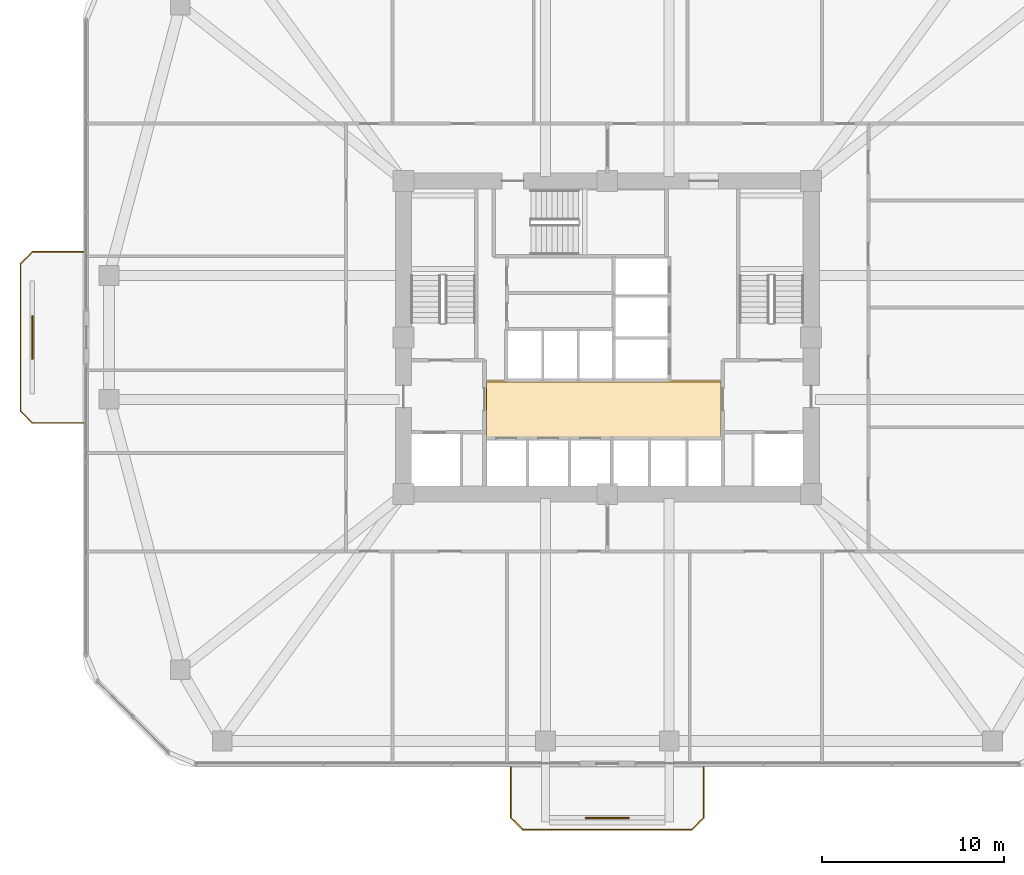
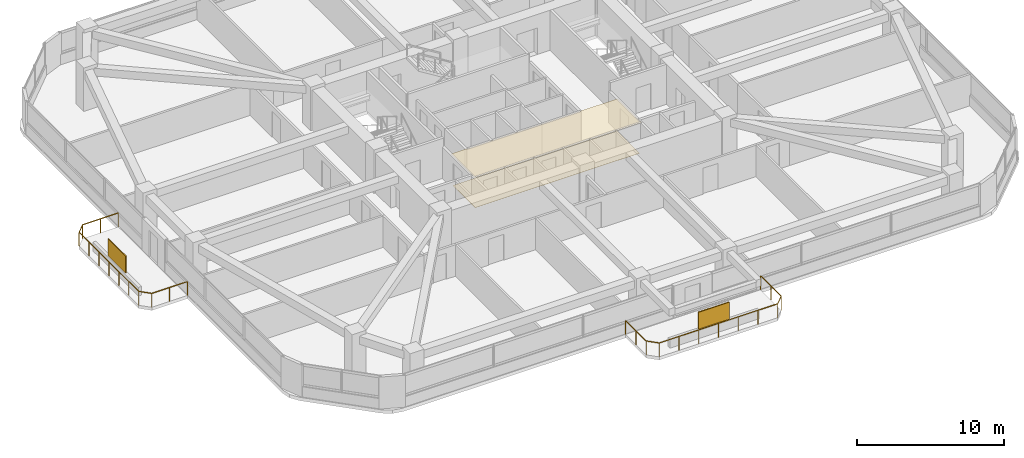
# One storey, part 12 of 13: 2 coverings, 2 railings, 2 shading devices.
"""IFC4 building model written with IfcOpenShell, lengths in metres."""

from ifc_helpers import new_model, si_unit, derived_unit, direction, frame, origin, origin_2d, place, context, subcontext, project, spatial, polyline, rectangle, outline, extrude, material, layer, layer_set, type_object, element, save


model = new_model("IFC4")

# Units and contexts
model_context = context("Model", 3, precision=1e-05, world=origin(), true_north=direction((0.0, 1.0)))
body_context = subcontext(model_context, "Body", "Model", "MODEL_VIEW")
ifc_project = project(units=[si_unit("LENGTHUNIT", "METRE"), si_unit("AREAUNIT", "SQUARE_METRE"), si_unit("VOLUMEUNIT", "CUBIC_METRE"), si_unit("PLANEANGLEUNIT", "RADIAN"), si_unit("MASSUNIT", "GRAM", prefix="KILO"), derived_unit("THERMALTRANSMITTANCEUNIT", [(si_unit("POWERUNIT", "WATT"), 1), (si_unit("LENGTHUNIT", "METRE"), -2), (si_unit("THERMODYNAMICTEMPERATUREUNIT", "KELVIN"), -1)])], contexts=[model_context])

# Site, building, storey
site_placement = place(None, origin())
site = spatial("IfcSite", under=ifc_project, at=site_placement, CompositionType="ELEMENT")
building_placement = place(site_placement, origin())
building = spatial("IfcBuilding", under=site, at=building_placement, Name="Koralith Skygarden Medical Center", CompositionType="ELEMENT")
storey_placement = place(building_placement, frame((0.0, 0.0, 63.5400390625)))
storey = spatial("IfcBuildingStorey", under=building, at=storey_placement, Name="L16", CompositionType="ELEMENT", Elevation=63.5400390625)

# Covering
ifc_material_1 = material(Name="Acoustic Mineral Tile")
ifc_layer_1 = layer(ifc_material_1, 0.02001953125)
ifc_layer_set_1 = layer_set([ifc_layer_1], Name="Acoustic Mineral Tile")
covering_type_1 = type_object("IfcCoveringType", Name="Acoustic Hygienic Mineral Ceiling 20", PredefinedType="CEILING", material=ifc_layer_set_1)
covering_1_placement = place(storey_placement, frame((0.0, 0.0, 2.5849609375)))
element("IfcCovering", 1, at=covering_1_placement, inside=storey, type_object=covering_type_1, Name="L16 Core Lobby Acoustic Ceiling", PredefinedType="CEILING", context=body_context, shape_type="SweptSolid", body=[
    extrude(outline(polyline([(30.25, 20.320068359375), (43.35009765625, 20.320068359375), (43.35009765625, 23.56005859375), (30.25, 23.56005859375), (30.25, 20.320068359375)])), origin(), (0.0, 0.0, 1.0), 0.02001953125),
])

# Railings
ifc_material_2 = material(Name="Steel ASTM A500 Grade C", Category="steel")
railing_type = type_object("IfcRailingType", Name="Outdoor Terrace & Balcony Safety Guardrail 1180", PredefinedType="GUARDRAIL", material=ifc_material_2)
railing_1_placement = place(storey_placement, frame((31.699951171875, 2.300048828125, 0.0)))
element("IfcRailing", 2, at=railing_1_placement, inside=storey, type_object=railing_type, Name="L16 S Balcony Perimeter Guardrail", PredefinedType="GUARDRAIL", context=body_context, shape_type="SweptSolid", body=[
    extrude(rectangle(XDim=0.050048828125, YDim=0.050048828125, at=origin_2d()), frame((0.0, -0.001953125, 1.15478515625), z_axis=(0.0, -1.0, 0.0), x_axis=(1.0, 0.0, 0.0)), (0.0, 0.0, 1.0), 2.796142578125),
    extrude(rectangle(XDim=0.050048828125, YDim=0.050048828125, at=origin_2d()), frame((0.00146484375, -2.801513671875, 1.15478515625), z_axis=(0.707239558722, -0.706973978714, 0.0), x_axis=(0.706973978714, 0.707239558722, 0.0)), (0.0, 0.0, 1.0), 0.915283203125),
    extrude(rectangle(XDim=0.050048828125, YDim=0.050048828125, at=origin_2d()), frame((0.652099609375, -3.449951171875, 1.15478515625), z_axis=(1.0, 0.0, 0.0), x_axis=(0.0, 1.0, 0.0)), (0.0, 0.0, 1.0), 9.2958984375),
    extrude(rectangle(XDim=0.050048828125, YDim=0.050048828125, at=origin_2d()), frame((9.951416015625, -3.448486328125, 1.15478515625), z_axis=(0.707239558722, 0.706973978714, 0.0), x_axis=(-0.706973978714, 0.707239558722, 0.0)), (0.0, 0.0, 1.0), 0.915283203125),
    extrude(rectangle(XDim=0.050048828125, YDim=0.050048828125, at=origin_2d()), frame((10.60009765625, -2.798095703125, 1.15478515625), z_axis=(0.0, 1.0, 0.0), x_axis=(-1.0, 0.0, 0.0)), (0.0, 0.0, 1.0), 2.796142578125),
    extrude(rectangle(XDim=0.0419921875, YDim=0.0419921875, at=origin_2d()), origin(), (0.0, 0.0, 1.0), 1.1279296875),
    extrude(rectangle(XDim=0.0419921875, YDim=0.0419921875, at=origin_2d()), frame((0.0, -1.39990234375, 0.0)), (0.0, 0.0, 1.0), 1.1279296875),
    extrude(rectangle(XDim=0.0419921875, YDim=0.0419921875, at=origin_2d()), frame((0.0, -2.800048828125, 0.0)), (0.0, 0.0, 1.0), 1.1279296875),
    extrude(rectangle(XDim=0.0419921875, YDim=0.0419921875, at=origin_2d()), frame((0.650146484375, -3.449951171875, 0.0)), (0.0, 0.0, 1.0), 1.1279296875),
    extrude(rectangle(XDim=0.0419921875, YDim=0.0419921875, at=origin_2d()), frame((2.2001953125, -3.449951171875, 0.0)), (0.0, 0.0, 1.0), 1.1279296875),
    extrude(rectangle(XDim=0.0419921875, YDim=0.0419921875, at=origin_2d()), frame((3.75, -3.449951171875, 0.0)), (0.0, 0.0, 1.0), 1.1279296875),
    extrude(rectangle(XDim=0.0419921875, YDim=0.0419921875, at=origin_2d()), frame((5.300048828125, -3.449951171875, 0.0)), (0.0, 0.0, 1.0), 1.1279296875),
    extrude(rectangle(XDim=0.0419921875, YDim=0.0419921875, at=origin_2d()), frame((6.85009765625, -3.449951171875, 0.0)), (0.0, 0.0, 1.0), 1.1279296875),
    extrude(rectangle(XDim=0.0419921875, YDim=0.0419921875, at=origin_2d()), frame((8.39990234375, -3.449951171875, 0.0)), (0.0, 0.0, 1.0), 1.1279296875),
    extrude(rectangle(XDim=0.0419921875, YDim=0.0419921875, at=origin_2d()), frame((9.949951171875, -3.449951171875, 0.0)), (0.0, 0.0, 1.0), 1.1279296875),
    extrude(rectangle(XDim=0.0419921875, YDim=0.0419921875, at=origin_2d()), frame((10.60009765625, -2.800048828125, 0.0)), (0.0, 0.0, 1.0), 1.1279296875),
    extrude(rectangle(XDim=0.0419921875, YDim=0.0419921875, at=origin_2d()), frame((10.60009765625, -1.39990234375, 0.0)), (0.0, 0.0, 1.0), 1.1279296875),
    extrude(rectangle(XDim=0.0419921875, YDim=0.0419921875, at=origin_2d()), frame((10.60009765625, 0.0, 0.0)), (0.0, 0.0, 1.0), 1.1279296875),
])
railing_2_placement = place(storey_placement, frame((8.199951171875, 21.199951171875, 0.0)))
element("IfcRailing", 3, at=railing_2_placement, inside=storey, type_object=railing_type, Name="L16 W Balcony Perimeter Guardrail", PredefinedType="GUARDRAIL", context=body_context, shape_type="SweptSolid", body=[
    extrude(rectangle(XDim=0.050048828125, YDim=0.050048828125, at=origin_2d()), frame((-0.001953125, 0.0, 1.15478515625), z_axis=(-1.0, 0.0, 0.0), x_axis=(0.0, -1.0, 0.0)), (0.0, 0.0, 1.0), 2.796142578125),
    extrude(rectangle(XDim=0.050048828125, YDim=0.050048828125, at=origin_2d()), frame((-2.801513671875, 0.00146484375, 1.15478515625), z_axis=(-0.706973978714, 0.707239558722, 0.0), x_axis=(-0.707239558722, -0.706973978714, 0.0)), (0.0, 0.0, 1.0), 0.915283203125),
    extrude(rectangle(XDim=0.050048828125, YDim=0.050048828125, at=origin_2d()), frame((-3.449951171875, 0.652099609375, 1.15478515625), z_axis=(0.0, 1.0, 0.0), x_axis=(-1.0, 0.0, 0.0)), (0.0, 0.0, 1.0), 8.095947265625),
    extrude(rectangle(XDim=0.050048828125, YDim=0.050048828125, at=origin_2d()), frame((-3.448486328125, 8.75146484375, 1.15478515625), z_axis=(0.706973978714, 0.707239558722, 0.0), x_axis=(-0.707239558722, 0.706973978714, 0.0)), (0.0, 0.0, 1.0), 0.915283203125),
    extrude(rectangle(XDim=0.050048828125, YDim=0.050048828125, at=origin_2d()), frame((-2.798095703125, 9.400146484375, 1.15478515625), z_axis=(1.0, 0.0, 0.0), x_axis=(0.0, 1.0, 0.0)), (0.0, 0.0, 1.0), 2.796142578125),
    extrude(rectangle(XDim=0.0419921875, YDim=0.0419921875, at=origin_2d()), origin(), (0.0, 0.0, 1.0), 1.1279296875),
    extrude(rectangle(XDim=0.0419921875, YDim=0.0419921875, at=origin_2d()), frame((-1.39990234375, 0.0, 0.0)), (0.0, 0.0, 1.0), 1.1279296875),
    extrude(rectangle(XDim=0.0419921875, YDim=0.0419921875, at=origin_2d()), frame((-2.800048828125, 0.0, 0.0)), (0.0, 0.0, 1.0), 1.1279296875),
    extrude(rectangle(XDim=0.0419921875, YDim=0.0419921875, at=origin_2d()), frame((-3.449951171875, 0.650146484375, 0.0)), (0.0, 0.0, 1.0), 1.1279296875),
    extrude(rectangle(XDim=0.0419921875, YDim=0.0419921875, at=origin_2d()), frame((-3.449951171875, 2.0, 0.0)), (0.0, 0.0, 1.0), 1.1279296875),
    extrude(rectangle(XDim=0.0419921875, YDim=0.0419921875, at=origin_2d()), frame((-3.449951171875, 3.35009765625, 0.0)), (0.0, 0.0, 1.0), 1.1279296875),
    extrude(rectangle(XDim=0.0419921875, YDim=0.0419921875, at=origin_2d()), frame((-3.449951171875, 4.7001953125, 0.0)), (0.0, 0.0, 1.0), 1.1279296875),
    extrude(rectangle(XDim=0.0419921875, YDim=0.0419921875, at=origin_2d()), frame((-3.449951171875, 6.050048828125, 0.0)), (0.0, 0.0, 1.0), 1.1279296875),
    extrude(rectangle(XDim=0.0419921875, YDim=0.0419921875, at=origin_2d()), frame((-3.449951171875, 7.39990234375, 0.0)), (0.0, 0.0, 1.0), 1.1279296875),
    extrude(rectangle(XDim=0.0419921875, YDim=0.0419921875, at=origin_2d()), frame((-3.449951171875, 8.75, 0.0)), (0.0, 0.0, 1.0), 1.1279296875),
    extrude(rectangle(XDim=0.0419921875, YDim=0.0419921875, at=origin_2d()), frame((-2.800048828125, 9.400146484375, 0.0)), (0.0, 0.0, 1.0), 1.1279296875),
    extrude(rectangle(XDim=0.0419921875, YDim=0.0419921875, at=origin_2d()), frame((-1.39990234375, 9.400146484375, 0.0)), (0.0, 0.0, 1.0), 1.1279296875),
    extrude(rectangle(XDim=0.0419921875, YDim=0.0419921875, at=origin_2d()), frame((0.0, 9.400146484375, 0.0)), (0.0, 0.0, 1.0), 1.1279296875),
])

# Shading devices
ifc_material_3 = material(Name="Aluminium 6063-T6", Category="aluminium")
ifc_layer_2 = layer(ifc_material_3, 0.080078125)
ifc_layer_set_2 = layer_set([ifc_layer_2], Name="Aluminium 6063-T6")
shading_device_type = type_object("IfcShadingDeviceType", Name="Perforated Biophilic Balcony Trellis Screen", PredefinedType="USERDEFINED", material=ifc_layer_set_2)
for number, where, z_axis, x_axis, name in (
    (4, (37.0, -0.5, 0.719970703125), (0.0, 0.0, 1.0), (1.0, 0.0, 0.0), "L16 S Biophilic Balcony Trellis Screen"),
    (5, (5.39990234375, 25.89990234375, 0.719970703125), (0.0, 0.0, 1.0), (0.0, 1.0, 0.0), "L16 W Biophilic Balcony Trellis Screen"),
):
    element("IfcShadingDevice", number, at=place(storey_placement, frame(where, z_axis=z_axis, x_axis=x_axis)), inside=storey, type_object=shading_device_type, Name=name, ObjectType="HURRICANE SCREEN", PredefinedType="USERDEFINED", context=body_context, shape_type="SweptSolid", body=[
        extrude(rectangle(XDim=2.39990234375, YDim=0.080078125, at=origin_2d()), origin(), (0.0, 0.0, 1.0), 1.39990234375),
    ])

# Covering
ifc_material_4 = material(Name="Medical Terrazzo Flooring")
ifc_layer_3 = layer(ifc_material_4, 0.014892578125)
ifc_layer_set_3 = layer_set([ifc_layer_3], Name="Medical Terrazzo Flooring")
covering_type_2 = type_object("IfcCoveringType", Name="Seamless Antimicrobial Terrazzo Flooring 15", PredefinedType="FLOORING", material=ifc_layer_set_3)
covering_2_placement = place(storey_placement, origin())
element("IfcCovering", 6, at=covering_2_placement, inside=storey, type_object=covering_type_2, Name="L16 Core Lobby Terrazzo Flooring", PredefinedType="FLOORING", context=body_context, shape_type="SweptSolid", body=[
    extrude(outline(polyline([(30.35009765625, 20.419921875), (43.25, 20.419921875), (43.25, 23.4599609375), (30.35009765625, 23.4599609375), (30.35009765625, 20.419921875)])), origin(), (0.0, 0.0, 1.0), 0.014892578125),
])

save(model, "model.ifc")
